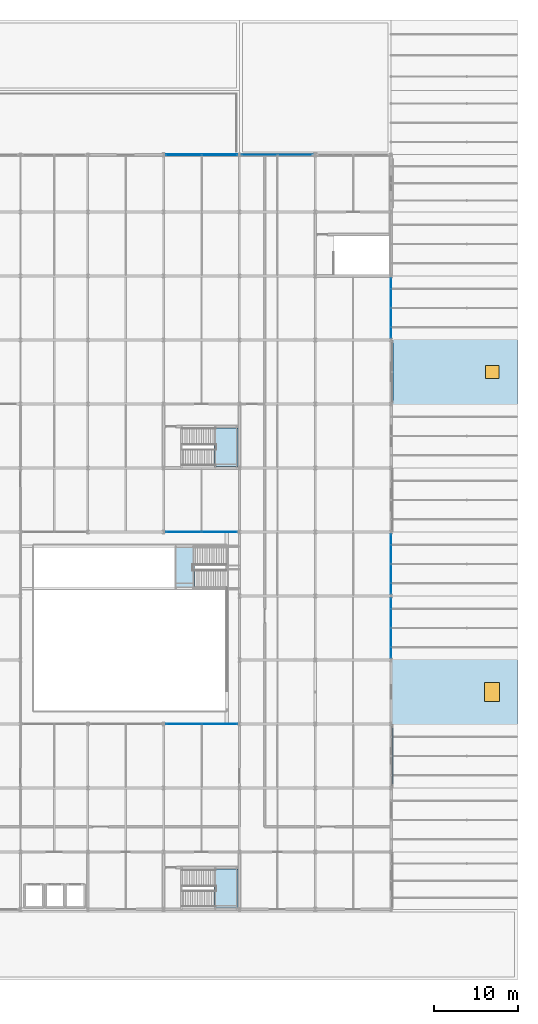
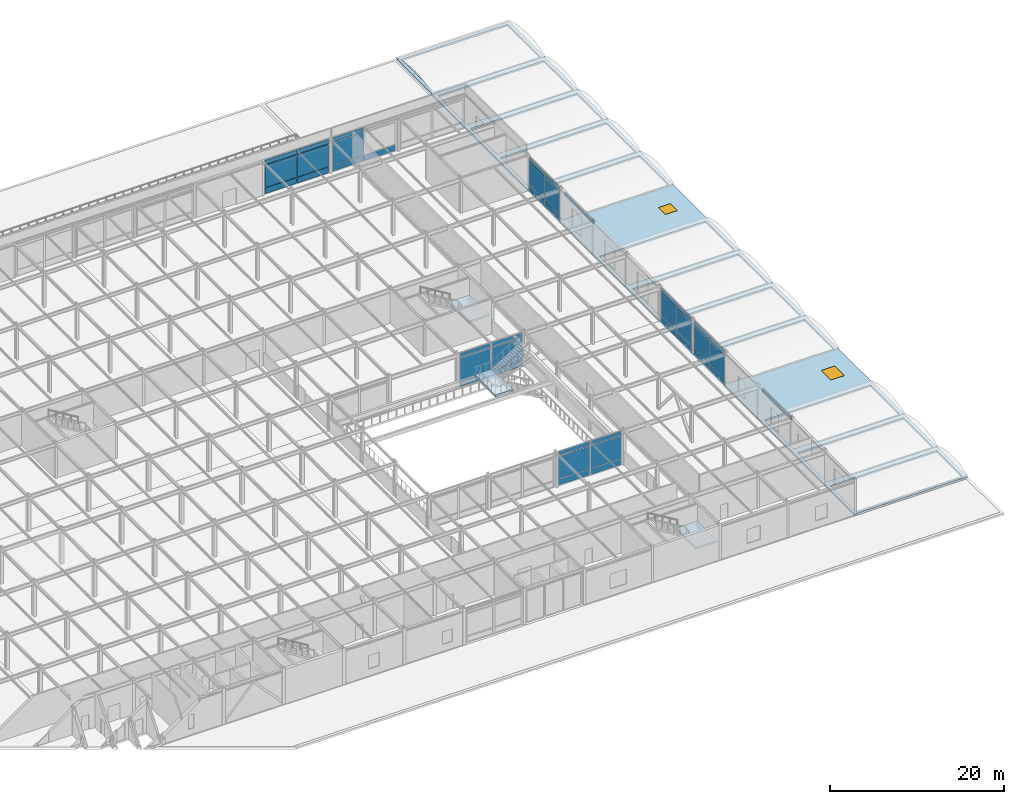
"""IFC4 building model written with IfcOpenShell, lengths in metres."""

import ifcopenshell
import ifcopenshell.guid

model = None  # the IFC model being written
_history = None  # IfcOwnerHistory: only IFC2X3 demands one
_inside = {}  # id of a spatial element -> (the spatial element, [elements in it])
_under = {}  # id of a project, library or spatial element -> (it, [spatial elements below it])
_declared = {}  # id of a project -> (the project, [libraries it declares])
_typed = {}  # id of a type object -> (the type object, [elements of that type])
_made_of = {}  # id of a material, layer set ... -> (it, [elements and type objects made of it])


def new_model(schema):
    """Start an empty IFC model of exactly this schema.

    Asked for "IFC4X3", IfcOpenShell would pick the latest addendum, in which some entities
    have other attributes; the version numbers below select the first issue.
    IFC2X3 requires an IfcOwnerHistory on every rooted entity: one is made here for all.
    """
    global model, _history
    if schema == "IFC4X3":
        model = ifcopenshell.file(schema_version=(4, 3, 0, 0))
    else:
        model = ifcopenshell.file(schema=schema)
    _inside.clear()
    _under.clear()
    _declared.clear()
    _typed.clear()
    _made_of.clear()
    _history = None
    if model.schema == "IFC2X3":
        org = make("IfcOrganization", Name="unknown")
        user = make(
            "IfcPersonAndOrganization",
            ThePerson=make("IfcPerson", FamilyName="unknown"),
            TheOrganization=org,
        )
        app = make(
            "IfcApplication",
            ApplicationDeveloper=org,
            Version="unknown",
            ApplicationFullName="unknown",
            ApplicationIdentifier="unknown",
        )
        _history = make(
            "IfcOwnerHistory",
            OwningUser=user,
            OwningApplication=app,
            ChangeAction="ADDED",
            CreationDate=0,
        )
    return model


def make(cls, **values):
    """One entity of the class cls with the attributes given. An attribute that is None is left unset."""
    return model.create_entity(
        cls, **{name: value for name, value in values.items() if value is not None}
    )


def rooted(cls, **values):
    """An entity with a GlobalId (a new one), such as an element, a storey or a relation."""
    return make(cls, GlobalId=ifcopenshell.guid.new(), OwnerHistory=_history, **values)


def si_unit(unit_type, name, prefix=None):
    """IfcSIUnit, for example si_unit("LENGTHUNIT", "METRE", prefix="MILLI")."""
    return make("IfcSIUnit", UnitType=unit_type, Prefix=prefix, Name=name)


def assignment(units):
    """IfcUnitAssignment: the units of a project."""
    return None if units is None else make("IfcUnitAssignment", Units=units)


def point(xyz):
    """IfcCartesianPoint."""
    return None if xyz is None else make("IfcCartesianPoint", Coordinates=xyz)


def direction(xyz):
    """IfcDirection."""
    return None if xyz is None else make("IfcDirection", DirectionRatios=xyz)


def frame(location, z_axis=None, x_axis=None):
    """IfcAxis2Placement3D, a coordinate frame: its origin and axes. An axis left out is left unset."""
    return make(
        "IfcAxis2Placement3D",
        Location=point(location),
        Axis=direction(z_axis),
        RefDirection=direction(x_axis),
    )


def frame_2d(location, x_axis=None):
    """IfcAxis2Placement2D, a coordinate frame in the plane: its origin and x axis."""
    return make(
        "IfcAxis2Placement2D", Location=point(location), RefDirection=direction(x_axis)
    )


def origin():
    """The frame at (0, 0, 0) with its axes left unset."""
    return frame((0.0, 0.0, 0.0))


def origin_2d():
    """The frame at (0, 0) in the plane with its x axis left unset."""
    return frame_2d((0.0, 0.0))


def place(relative_to, where):
    """IfcLocalPlacement: puts the frame where relative to a parent placement (None: the world)."""
    return make(
        "IfcLocalPlacement", PlacementRelTo=relative_to, RelativePlacement=where
    )


def context(
    kind, dimensions, precision=None, world=None, true_north=None, identifier=None
):
    """IfcGeometricRepresentationContext, for example the 3D "Model" context."""
    return make(
        "IfcGeometricRepresentationContext",
        ContextIdentifier=identifier,
        ContextType=kind,
        CoordinateSpaceDimension=dimensions,
        Precision=precision,
        WorldCoordinateSystem=world,
        TrueNorth=true_north,
    )


def subcontext(parent, identifier, kind, view, scale=None):
    """IfcGeometricRepresentationSubContext, for example "Body" below "Model"."""
    return make(
        "IfcGeometricRepresentationSubContext",
        ContextIdentifier=identifier,
        ContextType=kind,
        ParentContext=parent,
        TargetScale=scale,
        TargetView=view,
    )


def project(units=None, contexts=None):
    """IfcProject with its units and contexts."""
    return rooted(
        "IfcProject",
        Name="project",
        RepresentationContexts=contexts,
        UnitsInContext=assignment(units),
    )


def spatial(cls, under=None, at=None, **own):
    """A site, building, storey or space (cls), placed at a placement, below another one or the project."""
    s = rooted(cls, ObjectPlacement=at, **own)
    if under is not None:
        _under.setdefault(under.id(), (under, []))[1].append(s)
    return s


def polyline(points):
    """IfcPolyline through the points."""
    return make("IfcPolyline", Points=[point(p) for p in points])


def profile(cls, at=None, kind="AREA", **sizes):
    """A parametric profile (cls). Its sizes go by their IFC names, for example OverallWidth=200.0."""
    return make(cls, ProfileType=kind, Position=at, **sizes)


def rectangle(**sizes):
    """IfcRectangleProfileDef."""
    return profile("IfcRectangleProfileDef", **sizes)


def outline(outer, holes=None, kind="AREA"):
    """IfcArbitraryClosedProfileDef: a profile drawn as a closed curve; with holes, ...WithVoids."""
    if holes is None:
        return make("IfcArbitraryClosedProfileDef", ProfileType=kind, OuterCurve=outer)
    return make(
        "IfcArbitraryProfileDefWithVoids",
        ProfileType=kind,
        OuterCurve=outer,
        InnerCurves=holes,
    )


def extrude(swept, where, along, depth):
    """IfcExtrudedAreaSolid: the profile swept, set in the frame where, extruded along a direction by depth."""
    return make(
        "IfcExtrudedAreaSolid",
        SweptArea=swept,
        Position=where,
        ExtrudedDirection=direction(along),
        Depth=depth,
    )


def shape(context_of_items, identifier, shape_type, items):
    """IfcShapeRepresentation: the items that make up one representation, for example the "Body"."""
    return make(
        "IfcShapeRepresentation",
        ContextOfItems=context_of_items,
        RepresentationIdentifier=identifier,
        RepresentationType=shape_type,
        Items=items,
    )


def material(Name=None, Category=None):
    """IfcMaterial."""
    return make("IfcMaterial", Name=Name, Category=Category)


def layer(
    of_material, thickness, ventilated=None, Name=None, Category=None, Priority=None
):
    """IfcMaterialLayer: one layer of a wall or slab, of a material (None: an air gap)."""
    return make(
        "IfcMaterialLayer",
        Material=of_material,
        LayerThickness=thickness,
        IsVentilated=ventilated,
        Name=Name,
        Category=Category,
        Priority=Priority,
    )


def layer_set(layers, Name=None):
    """IfcMaterialLayerSet."""
    return make("IfcMaterialLayerSet", MaterialLayers=layers, LayerSetName=Name)


def made_of(thing, what):
    """Note that an element or type object is made of a material, layer set ...; save() writes the relation."""
    if what is not None:
        _made_of.setdefault(what.id(), (what, []))[1].append(thing)
    return thing


def type_object(cls, material=None, **own):
    """A type object (cls), such as IfcWallType, which elements share."""
    return made_of(rooted(cls, **own), material)


def element(
    cls,
    number,
    at=None,
    inside=None,
    cuts=None,
    type_object=None,
    material=None,
    context=None,
    identifier="Body",
    shape_type=None,
    held_by="IfcProductDefinitionShape",
    body=None,
    shapes=None,
    **own,
):
    """One element of the class cls, such as IfcWall. Its Tag is "e" and its number.

    at: its placement. inside: the storey or other place that contains it. cuts: it is an
    opening in that element (IfcRelVoidsElement). A single representation is given by context,
    identifier, shape_type and body (its items); several are given by shapes. held_by: the class
    of the entity that holds the representations. save() writes the other relations.
    """
    e = rooted(cls, Tag="e%d" % number, ObjectPlacement=at, **own)
    if body is not None:
        shapes = [shape(context, identifier, shape_type, body)]
    if shapes is not None:
        e.Representation = make(held_by, Representations=shapes)
    if inside is not None:
        _inside.setdefault(inside.id(), (inside, []))[1].append(e)
    if cuts is not None:
        rooted(
            "IfcRelVoidsElement", RelatingBuildingElement=cuts, RelatedOpeningElement=e
        )
    if type_object is not None:
        _typed.setdefault(type_object.id(), (type_object, []))[1].append(e)
    return made_of(e, material)


def fill(opening, filler):
    """IfcRelFillsElement: the door or window that sits in an opening."""
    return rooted(
        "IfcRelFillsElement",
        RelatingOpeningElement=opening,
        RelatedBuildingElement=filler,
    )


def aggregate(whole, parts):
    """IfcRelAggregates: a whole, such as a stair, and the parts it consists of."""
    return rooted("IfcRelAggregates", RelatingObject=whole, RelatedObjects=parts)


def save(model, path):
    """Write the relations noted so far, then the file.

    IfcRelAggregates (storeys below a building ...), IfcRelContainedInSpatialStructure (elements
    in a storey), IfcRelDefinesByType, IfcRelAssociatesMaterial and IfcRelDeclares: one each for
    every whole, place, type object, material and project.
    """
    for whole, parts in _under.values():
        aggregate(whole, parts)
    for where, things in _inside.values():
        rooted(
            "IfcRelContainedInSpatialStructure",
            RelatedElements=things,
            RelatingStructure=where,
        )
    for kind, things in _typed.values():
        rooted("IfcRelDefinesByType", RelatedObjects=things, RelatingType=kind)
    for what, things in _made_of.values():
        rooted("IfcRelAssociatesMaterial", RelatedObjects=things, RelatingMaterial=what)
    for by, libraries in _declared.values():
        rooted("IfcRelDeclares", RelatingContext=by, RelatedDefinitions=libraries)
    model.write(path)


model = new_model("IFC4")

# Units and contexts
model_context = context("Model", 3, precision=1e-05, world=origin(), true_north=direction((0.0, 1.0)))
body_context = subcontext(model_context, "Body", "Model", "MODEL_VIEW")
ifc_project = project(units=[si_unit("LENGTHUNIT", "METRE"), si_unit("AREAUNIT", "SQUARE_METRE"), si_unit("VOLUMEUNIT", "CUBIC_METRE"), si_unit("PLANEANGLEUNIT", "RADIAN"), si_unit("MASSUNIT", "GRAM", prefix="KILO")], contexts=[model_context])

# Site, building, storey
site_placement = place(None, origin())
site = spatial("IfcSite", under=ifc_project, at=site_placement, CompositionType="ELEMENT")
building_placement = place(site_placement, origin())
building = spatial("IfcBuilding", under=site, at=building_placement, Name="Shalkamar Park Central Library", CompositionType="ELEMENT")
storey_1_placement = place(building_placement, frame((0.0, 0.0, 5.39990234375)))
storey_1 = spatial("IfcBuildingStorey", under=building, at=storey_1_placement, Name="L02", CompositionType="ELEMENT", Elevation=5.39990234375)

# Curtain wall, plates
ifc_material_1 = material(Name="Thermally broken aluminium and triple low-e curtain wall", Category="aluminium")
ifc_layer_1 = layer(ifc_material_1, 0.2548828125)
ifc_layer_set_1 = layer_set([ifc_layer_1], Name="AtriumGlazedScreen_117")
curtain_wall_type_1 = type_object("IfcCurtainWallType", Name="Atrium Glazed Screen 117", PredefinedType="USERDEFINED", material=ifc_layer_set_1)
curtain_wall_1_placement = place(storey_1_placement, origin())
curtain_wall_1 = element("IfcCurtainWall", 1, at=curtain_wall_1_placement, inside=storey_1, type_object=curtain_wall_type_1, Name="Atrium Glazed Screen CW-L02-174", ObjectType="ATRIUM GLAZED SCREEN", PredefinedType="USERDEFINED")
ifc_material_2 = material(Name="Laminated acoustic interior glass", Category="glass")
ifc_layer_2 = layer(ifc_material_2, 0.02197265625)
ifc_layer_set_2 = layer_set([ifc_layer_2], Name="AcousticGlazedScreenPanel_22")
plate_type_1 = type_object("IfcPlateType", Name="Acoustic Glazed Screen Panel 22", PredefinedType="CURTAIN_PANEL", material=ifc_layer_set_2)
plate_1_placement = place(storey_1_placement, frame((248.390869140625, 270.39990234375, 0.06494140625), z_axis=(0.0, 0.0, 1.0), x_axis=(1.0, 0.0, 0.0)))
plate_1 = element("IfcPlate", 2, at=plate_1_placement, type_object=plate_type_1, Name="CW-117 panel 1.1", PredefinedType="CURTAIN_PANEL", context=body_context, shape_type="SweptSolid", body=[
    extrude(rectangle(XDim=4.16357421875, YDim=0.02197265625, at=origin_2d()), origin(), (0.0, 0.0, 1.0), 0.802490234375),
])
plate_2_placement = place(storey_1_placement, frame((248.390869140625, 270.39990234375, 0.9326171875), z_axis=(0.0, 0.0, 1.0), x_axis=(1.0, 0.0, 0.0)))
plate_2 = element("IfcPlate", 3, at=plate_2_placement, type_object=plate_type_1, Name="CW-117 panel 1.2", PredefinedType="CURTAIN_PANEL", context=body_context, shape_type="SweptSolid", body=[
    extrude(rectangle(XDim=4.16357421875, YDim=0.02197265625, at=origin_2d()), origin(), (0.0, 0.0, 1.0), 3.14501953125),
])
plate_3_placement = place(storey_1_placement, frame((248.390869140625, 270.39990234375, 4.142578125), z_axis=(0.0, 0.0, 1.0), x_axis=(1.0, 0.0, 0.0)))
plate_3 = element("IfcPlate", 4, at=plate_3_placement, type_object=plate_type_1, Name="CW-117 panel 1.3", PredefinedType="CURTAIN_PANEL", context=body_context, shape_type="SweptSolid", body=[
    extrude(rectangle(XDim=4.16357421875, YDim=0.02197265625, at=origin_2d()), origin(), (0.0, 0.0, 1.0), 0.652587890625),
])
plate_4_placement = place(storey_1_placement, frame((252.63427734375, 270.39990234375, 0.06494140625), z_axis=(0.0, 0.0, 1.0), x_axis=(1.0, 0.0, 0.0)))
plate_4 = element("IfcPlate", 5, at=plate_4_placement, type_object=plate_type_1, Name="CW-117 panel 2.1", PredefinedType="CURTAIN_PANEL", context=body_context, shape_type="SweptSolid", body=[
    extrude(rectangle(XDim=4.16357421875, YDim=0.02197265625, at=origin_2d()), origin(), (0.0, 0.0, 1.0), 0.802490234375),
])
plate_5_placement = place(storey_1_placement, frame((252.63427734375, 270.39990234375, 0.9326171875), z_axis=(0.0, 0.0, 1.0), x_axis=(1.0, 0.0, 0.0)))
plate_5 = element("IfcPlate", 6, at=plate_5_placement, type_object=plate_type_1, Name="CW-117 panel 2.2", PredefinedType="CURTAIN_PANEL", context=body_context, shape_type="SweptSolid", body=[
    extrude(rectangle(XDim=4.16357421875, YDim=0.02197265625, at=origin_2d()), origin(), (0.0, 0.0, 1.0), 3.14501953125),
])
plate_6_placement = place(storey_1_placement, frame((252.63427734375, 270.39990234375, 4.142578125), z_axis=(0.0, 0.0, 1.0), x_axis=(1.0, 0.0, 0.0)))
plate_6 = element("IfcPlate", 7, at=plate_6_placement, type_object=plate_type_1, Name="CW-117 panel 2.3", PredefinedType="CURTAIN_PANEL", context=body_context, shape_type="SweptSolid", body=[
    extrude(rectangle(XDim=4.16357421875, YDim=0.02197265625, at=origin_2d()), origin(), (0.0, 0.0, 1.0), 0.652587890625),
])
aggregate(curtain_wall_1, [plate_1, plate_2, plate_3, plate_4, plate_5, plate_6])

# Plate
ifc_material_3 = material(Name="Anodized bronze architectural frieze plate", Category="aluminium")
ifc_layer_3 = layer(ifc_material_3, 0.110107421875)
ifc_layer_set_3 = layer_set([ifc_layer_3], Name="BronzeSpandrelFriezePlate_110")
plate_type_2 = type_object("IfcPlateType", Name="Bronze Spandrel Frieze Plate 110", PredefinedType="USERDEFINED", material=ifc_layer_set_3)
plate_7_placement = place(storey_1_placement, frame((273.195068359375, 312.199951171875, 4.13818359375), z_axis=(0.0, 0.0, 1.0), x_axis=(1.0, 0.0, 0.0)))
element("IfcPlate", 8, at=plate_7_placement, inside=storey_1, type_object=plate_type_2, Name="Bronze Spandrel Frieze Plate L02-033", ObjectType="CLADDING", PredefinedType="USERDEFINED", context=body_context, shape_type="SweptSolid", body=[
    extrude(rectangle(XDim=0.110107421875, YDim=6.6279296875, at=origin_2d()), origin(), (0.0, 0.0, 1.0), 0.449951171875),
])

# Slab, openings
ifc_material_4 = material(Name="Concrete C35/45", Category="concrete")
ifc_layer_4 = layer(ifc_material_4, 0.25)
ifc_layer_set_4 = layer_set([ifc_layer_4], Name="Concrete C35/45")
slab_type_1 = type_object("IfcSlabType", Name="Flat Roof Slab 140", PredefinedType="ROOF", material=ifc_layer_set_4)
slab_1_placement = place(storey_1_placement, frame((0.0, 0.0, -0.25)))
slab_1 = element("IfcSlab", 9, at=slab_1_placement, inside=storey_1, type_object=slab_type_1, Name="Flat Roof Slab RF-L01-E", PredefinedType="ROOF", context=body_context, shape_type="SweptSolid", body=[
    extrude(outline(polyline([(273.0, 248.39990234375), (288.0, 248.39990234375), (288.0, 354.0), (273.0, 354.0), (273.0, 248.39990234375)]), holes=[polyline([(273.449951171875, 248.85009765625), (287.550048828125, 248.85009765625), (287.550048828125, 254.75), (273.449951171875, 254.75), (273.449951171875, 248.85009765625)]), polyline([(273.449951171875, 255.64990234375), (287.550048828125, 255.64990234375), (287.550048828125, 262.35009765625), (273.449951171875, 262.35009765625), (273.449951171875, 255.64990234375)]), polyline([(273.449951171875, 263.25), (287.550048828125, 263.25), (287.550048828125, 269.949951171875), (273.449951171875, 269.949951171875), (273.449951171875, 263.25)]), polyline([(273.449951171875, 278.449951171875), (287.550048828125, 278.449951171875), (287.550048828125, 285.14990234375), (273.449951171875, 285.14990234375), (273.449951171875, 278.449951171875)]), polyline([(273.449951171875, 286.050048828125), (287.550048828125, 286.050048828125), (287.550048828125, 292.75), (273.449951171875, 292.75), (273.449951171875, 286.050048828125)]), polyline([(273.449951171875, 293.64990234375), (287.550048828125, 293.64990234375), (287.550048828125, 300.35009765625), (273.449951171875, 300.35009765625), (273.449951171875, 293.64990234375)]), polyline([(273.449951171875, 301.25), (287.550048828125, 301.25), (287.550048828125, 307.949951171875), (273.449951171875, 307.949951171875), (273.449951171875, 301.25)]), polyline([(273.449951171875, 316.449951171875), (287.550048828125, 316.449951171875), (287.550048828125, 323.14990234375), (273.449951171875, 323.14990234375), (273.449951171875, 316.449951171875)]), polyline([(273.449951171875, 324.050048828125), (287.550048828125, 324.050048828125), (287.550048828125, 330.75), (273.449951171875, 330.75), (273.449951171875, 324.050048828125)]), polyline([(273.449951171875, 331.64990234375), (287.550048828125, 331.64990234375), (287.550048828125, 337.550048828125), (273.449951171875, 337.550048828125), (273.449951171875, 331.64990234375)]), polyline([(273.449951171875, 338.449951171875), (287.550048828125, 338.449951171875), (287.550048828125, 345.14990234375), (273.449951171875, 345.14990234375), (273.449951171875, 338.449951171875)]), polyline([(273.449951171875, 346.050048828125), (287.550048828125, 346.050048828125), (287.550048828125, 353.550048828125), (273.449951171875, 353.550048828125), (273.449951171875, 346.050048828125)])]), origin(), (0.0, 0.0, 1.0), 0.25),
])
opening_1_placement = place(slab_1_placement, frame((285.0, 274.199951171875, -0.010009765625)))
opening_1 = element("IfcOpeningElement", 10, at=opening_1_placement, cuts=slab_1, Name="Opening SK-03", PredefinedType="OPENING", context=body_context, shape_type="SweptSolid", body=[
    extrude(rectangle(XDim=1.800048828125, YDim=2.199951171875, at=origin_2d()), origin(), (0.0, 0.0, 1.0), 0.27001953125),
])
opening_2_placement = place(slab_1_placement, frame((285.0, 312.199951171875, -0.010009765625)))
opening_2 = element("IfcOpeningElement", 11, at=opening_2_placement, cuts=slab_1, Name="Opening SK-04", PredefinedType="OPENING", context=body_context, shape_type="SweptSolid", body=[
    extrude(rectangle(XDim=1.60009765625, YDim=1.60009765625, at=origin_2d()), origin(), (0.0, 0.0, 1.0), 0.27001953125),
])

# Storey
storey_2_placement = place(building_placement, origin())
storey_2 = spatial("IfcBuildingStorey", under=building, at=storey_2_placement, Name="L01", CompositionType="ELEMENT", Elevation=0.0)

# Window
ifc_material_5 = material(Name="Thermally broken aluminium and triple low-e glass", Category="glass")
window_type_1 = type_object("IfcWindowType", Name="Roof Skylight 1600x1600", PartitioningType="SINGLE_PANEL", PredefinedType="SKYLIGHT", material=ifc_material_5)
window_1_placement = place(opening_2_placement, frame((0.0, 0.0, 0.2099609375)))
window_1 = element("IfcWindow", 12, at=window_1_placement, inside=storey_2, type_object=window_type_1, Name="Roof Skylight SK-L01-04", OverallHeight=1.60009765625, OverallWidth=1.60009765625, PartitioningType="SINGLE_PANEL", PredefinedType="SKYLIGHT", context=body_context, shape_type="SweptSolid", body=[
    extrude(rectangle(XDim=1.60009765625, YDim=1.60009765625, at=origin_2d()), origin(), (0.0, 0.0, 1.0), 0.050048828125),
])

fill(opening_2, window_1)

window_type_2 = type_object("IfcWindowType", Name="Roof Skylight 1800x2200", PartitioningType="SINGLE_PANEL", PredefinedType="SKYLIGHT", material=ifc_material_5)
window_2_placement = place(opening_1_placement, frame((0.0, 0.0, 0.2099609375)))
window_2 = element("IfcWindow", 13, at=window_2_placement, inside=storey_2, type_object=window_type_2, Name="Roof Skylight SK-L01-03", OverallHeight=2.199951171875, OverallWidth=1.800048828125, PartitioningType="SINGLE_PANEL", PredefinedType="SKYLIGHT", context=body_context, shape_type="SweptSolid", body=[
    extrude(rectangle(XDim=1.800048828125, YDim=2.199951171875, at=origin_2d()), origin(), (0.0, 0.0, 1.0), 0.050048828125),
])

fill(opening_1, window_2)

# Curtain wall, plates
ifc_layer_5 = layer(ifc_material_1, 0.280029296875)
ifc_layer_set_5 = layer_set([ifc_layer_5], Name="AtriumGlazedScreen_119")
curtain_wall_type_2 = type_object("IfcCurtainWallType", Name="Atrium Glazed Screen 119", PredefinedType="USERDEFINED", material=ifc_layer_set_5)
curtain_wall_2_placement = place(storey_1_placement, origin())
curtain_wall_2 = element("IfcCurtainWall", 14, at=curtain_wall_2_placement, inside=storey_1, type_object=curtain_wall_type_2, Name="Atrium Glazed Screen CW-L02-176", ObjectType="ATRIUM GLAZED SCREEN", PredefinedType="USERDEFINED")
ifc_material_6 = material(Name="Tempered clear atrium glass", Category="glass")
ifc_layer_6 = layer(ifc_material_6, 0.011962890625)
ifc_layer_set_6 = layer_set([ifc_layer_6], Name="InteriorAtriumGlassPanel_12")
plate_type_3 = type_object("IfcPlateType", Name="Interior Atrium Glass Panel 12", PredefinedType="CURTAIN_PANEL", material=ifc_layer_set_6)
plate_8_placement = place(storey_1_placement, frame((248.393310546875, 293.199951171875, 0.070068359375), z_axis=(0.0, 0.0, 1.0), x_axis=(1.0, 0.0, 0.0)))
plate_8 = element("IfcPlate", 15, at=plate_8_placement, type_object=plate_type_3, Name="CW-119 panel 1.1", PredefinedType="CURTAIN_PANEL", context=body_context, shape_type="SweptSolid", body=[
    extrude(rectangle(XDim=4.1484375, YDim=0.011962890625, at=origin_2d()), origin(), (0.0, 0.0, 1.0), 0.794921875),
])
plate_9_placement = place(storey_1_placement, frame((248.393310546875, 293.199951171875, 0.93505859375), z_axis=(0.0, 0.0, 1.0), x_axis=(1.0, 0.0, 0.0)))
plate_9 = element("IfcPlate", 16, at=plate_9_placement, type_object=plate_type_3, Name="CW-119 panel 1.2", PredefinedType="CURTAIN_PANEL", context=body_context, shape_type="SweptSolid", body=[
    extrude(rectangle(XDim=4.1484375, YDim=0.011962890625, at=origin_2d()), origin(), (0.0, 0.0, 1.0), 3.139892578125),
])
plate_10_placement = place(storey_1_placement, frame((248.393310546875, 293.199951171875, 4.14501953125), z_axis=(0.0, 0.0, 1.0), x_axis=(1.0, 0.0, 0.0)))
plate_10 = element("IfcPlate", 17, at=plate_10_placement, type_object=plate_type_3, Name="CW-119 panel 1.3", PredefinedType="CURTAIN_PANEL", context=body_context, shape_type="SweptSolid", body=[
    extrude(rectangle(XDim=4.1484375, YDim=0.011962890625, at=origin_2d()), origin(), (0.0, 0.0, 1.0), 0.64501953125),
])
plate_11_placement = place(storey_1_placement, frame((252.6318359375, 293.199951171875, 0.070068359375), z_axis=(0.0, 0.0, 1.0), x_axis=(1.0, 0.0, 0.0)))
plate_11 = element("IfcPlate", 18, at=plate_11_placement, type_object=plate_type_3, Name="CW-119 panel 2.1", PredefinedType="CURTAIN_PANEL", context=body_context, shape_type="SweptSolid", body=[
    extrude(rectangle(XDim=4.1484375, YDim=0.011962890625, at=origin_2d()), origin(), (0.0, 0.0, 1.0), 0.794921875),
])
plate_12_placement = place(storey_1_placement, frame((252.6318359375, 293.199951171875, 0.93505859375), z_axis=(0.0, 0.0, 1.0), x_axis=(1.0, 0.0, 0.0)))
plate_12 = element("IfcPlate", 19, at=plate_12_placement, type_object=plate_type_3, Name="CW-119 panel 2.2", PredefinedType="CURTAIN_PANEL", context=body_context, shape_type="SweptSolid", body=[
    extrude(rectangle(XDim=4.1484375, YDim=0.011962890625, at=origin_2d()), origin(), (0.0, 0.0, 1.0), 3.139892578125),
])
plate_13_placement = place(storey_1_placement, frame((252.6318359375, 293.199951171875, 4.14501953125), z_axis=(0.0, 0.0, 1.0), x_axis=(1.0, 0.0, 0.0)))
plate_13 = element("IfcPlate", 20, at=plate_13_placement, type_object=plate_type_3, Name="CW-119 panel 2.3", PredefinedType="CURTAIN_PANEL", context=body_context, shape_type="SweptSolid", body=[
    extrude(rectangle(XDim=4.1484375, YDim=0.011962890625, at=origin_2d()), origin(), (0.0, 0.0, 1.0), 0.64501953125),
])
aggregate(curtain_wall_2, [plate_8, plate_9, plate_10, plate_11, plate_12, plate_13])

# Plate
ifc_material_7 = material(Name="Anodized bronze stepped frieze plate", Category="aluminium")
ifc_layer_7 = layer(ifc_material_7, 0.139892578125)
ifc_layer_set_7 = layer_set([ifc_layer_7], Name="PostmodernKeystoneFriezePlate_140")
plate_type_4 = type_object("IfcPlateType", Name="Postmodern Keystone Frieze Plate 140", PredefinedType="USERDEFINED", material=ifc_layer_set_7)
plate_14_placement = place(storey_1_placement, frame((273.2099609375, 266.60009765625, 4.13818359375), z_axis=(0.0, 0.0, 1.0), x_axis=(1.0, 0.0, 0.0)))
element("IfcPlate", 21, at=plate_14_placement, inside=storey_1, type_object=plate_type_4, Name="Bronze Spandrel Frieze Plate L02-032", ObjectType="CLADDING", PredefinedType="USERDEFINED", context=body_context, shape_type="SweptSolid", body=[
    extrude(rectangle(XDim=0.139892578125, YDim=6.6279296875, at=origin_2d()), origin(), (0.0, 0.0, 1.0), 0.449951171875),
])

# Curtain wall, plates
ifc_layer_8 = layer(ifc_material_1, 0.260009765625)
ifc_layer_set_8 = layer_set([ifc_layer_8], Name="UnitisedCurtainWall_34")
curtain_wall_type_3 = type_object("IfcCurtainWallType", Name="Unitised Curtain Wall 34", PredefinedType="USERDEFINED", material=ifc_layer_set_8)
curtain_wall_3_placement = place(storey_1_placement, origin())
curtain_wall_3 = element("IfcCurtainWall", 22, at=curtain_wall_3_placement, inside=storey_1, type_object=curtain_wall_type_3, Name="Unitised Curtain Wall CW-L02-038", ObjectType="UNITISED CURTAIN WALL", PredefinedType="USERDEFINED")
ifc_material_8 = material(Name="Triple-glazed solar-control glass", Category="glass")
ifc_layer_9 = layer(ifc_material_8, 0.031982421875)
ifc_layer_set_9 = layer_set([ifc_layer_9], Name="SolarControlVisionPanel_32")
plate_type_5 = type_object("IfcPlateType", Name="Solar Control Vision Panel 32", PredefinedType="CURTAIN_PANEL", material=ifc_layer_set_9)
plate_15_placement = place(storey_1_placement, frame((257.364501953125, 338.0, 0.06005859375), z_axis=(0.0, 0.0, 1.0), x_axis=(1.0, 0.0, 0.0)))
plate_15 = element("IfcPlate", 23, at=plate_15_placement, type_object=plate_type_5, Name="CW-34 panel 1.1", PredefinedType="CURTAIN_PANEL", context=body_context, shape_type="SweptSolid", body=[
    extrude(rectangle(XDim=4.1708984375, YDim=0.031982421875, at=origin_2d()), origin(), (0.0, 0.0, 1.0), 0.81005859375),
])
plate_16_placement = place(storey_1_placement, frame((257.364501953125, 338.0, 0.93017578125), z_axis=(0.0, 0.0, 1.0), x_axis=(1.0, 0.0, 0.0)))
plate_16 = element("IfcPlate", 24, at=plate_16_placement, type_object=plate_type_5, Name="CW-34 panel 1.2", PredefinedType="CURTAIN_PANEL", context=body_context, shape_type="SweptSolid", body=[
    extrude(rectangle(XDim=4.1708984375, YDim=0.031982421875, at=origin_2d()), origin(), (0.0, 0.0, 1.0), 3.139892578125),
])
plate_17_placement = place(storey_1_placement, frame((257.364501953125, 338.0, 4.13037109375), z_axis=(0.0, 0.0, 1.0), x_axis=(1.0, 0.0, 0.0)))
plate_17 = element("IfcPlate", 25, at=plate_17_placement, type_object=plate_type_5, Name="CW-34 panel 1.3", PredefinedType="CURTAIN_PANEL", context=body_context, shape_type="SweptSolid", body=[
    extrude(rectangle(XDim=4.1708984375, YDim=0.031982421875, at=origin_2d()), origin(), (0.0, 0.0, 1.0), 0.659912109375),
])
plate_18_placement = place(storey_1_placement, frame((261.610595703125, 338.0, 0.06005859375), z_axis=(0.0, 0.0, 1.0), x_axis=(1.0, 0.0, 0.0)))
plate_18 = element("IfcPlate", 26, at=plate_18_placement, type_object=plate_type_5, Name="CW-34 panel 2.1", PredefinedType="CURTAIN_PANEL", context=body_context, shape_type="SweptSolid", body=[
    extrude(rectangle(XDim=4.1708984375, YDim=0.031982421875, at=origin_2d()), origin(), (0.0, 0.0, 1.0), 0.81005859375),
])
aggregate(curtain_wall_3, [plate_15, plate_16, plate_17, plate_18])

ifc_layer_10 = layer(ifc_material_1, 0.260009765625)
ifc_layer_set_10 = layer_set([ifc_layer_10], Name="UnitisedCurtainWall_37")
curtain_wall_type_4 = type_object("IfcCurtainWallType", Name="Unitised Curtain Wall 37", PredefinedType="USERDEFINED", material=ifc_layer_set_10)
curtain_wall_4_placement = place(storey_1_placement, origin())
curtain_wall_4 = element("IfcCurtainWall", 27, at=curtain_wall_4_placement, inside=storey_1, type_object=curtain_wall_type_4, Name="Unitised Curtain Wall CW-L02-043", ObjectType="UNITISED CURTAIN WALL", PredefinedType="USERDEFINED")
plate_19_placement = place(storey_1_placement, frame((273.0, 280.020751953125, 0.06005859375), z_axis=(0.0, 0.0, 1.0), x_axis=(0.0, 1.0, 0.0)))
plate_19 = element("IfcPlate", 28, at=plate_19_placement, type_object=plate_type_5, Name="CW-37 panel 1.1", PredefinedType="CURTAIN_PANEL", context=body_context, shape_type="SweptSolid", body=[
    extrude(rectangle(XDim=3.4833984375, YDim=0.031982421875, at=origin_2d()), origin(), (0.0, 0.0, 1.0), 0.81005859375),
])
plate_20_placement = place(storey_1_placement, frame((273.0, 280.020751953125, 0.93017578125), z_axis=(0.0, 0.0, 1.0), x_axis=(0.0, 1.0, 0.0)))
plate_20 = element("IfcPlate", 29, at=plate_20_placement, type_object=plate_type_5, Name="CW-37 panel 1.2", PredefinedType="CURTAIN_PANEL", context=body_context, shape_type="SweptSolid", body=[
    extrude(rectangle(XDim=3.4833984375, YDim=0.031982421875, at=origin_2d()), origin(), (0.0, 0.0, 1.0), 3.14990234375),
])
plate_21_placement = place(storey_1_placement, frame((273.0, 280.020751953125, 4.14013671875), z_axis=(0.0, 0.0, 1.0), x_axis=(0.0, 1.0, 0.0)))
plate_21 = element("IfcPlate", 30, at=plate_21_placement, type_object=plate_type_5, Name="CW-37 panel 1.3", PredefinedType="CURTAIN_PANEL", context=body_context, shape_type="SweptSolid", body=[
    extrude(rectangle(XDim=3.4833984375, YDim=0.031982421875, at=origin_2d()), origin(), (0.0, 0.0, 1.0), 0.659912109375),
])
plate_22_placement = place(storey_1_placement, frame((273.0, 283.579345703125, 0.06005859375), z_axis=(0.0, 0.0, 1.0), x_axis=(0.0, 1.0, 0.0)))
plate_22 = element("IfcPlate", 31, at=plate_22_placement, type_object=plate_type_5, Name="CW-37 panel 2.1", PredefinedType="CURTAIN_PANEL", context=body_context, shape_type="SweptSolid", body=[
    extrude(rectangle(XDim=3.4833984375, YDim=0.031982421875, at=origin_2d()), origin(), (0.0, 0.0, 1.0), 0.81005859375),
])
plate_23_placement = place(storey_1_placement, frame((273.0, 283.579345703125, 0.93017578125), z_axis=(0.0, 0.0, 1.0), x_axis=(0.0, 1.0, 0.0)))
plate_23 = element("IfcPlate", 32, at=plate_23_placement, type_object=plate_type_5, Name="CW-37 panel 2.2", PredefinedType="CURTAIN_PANEL", context=body_context, shape_type="SweptSolid", body=[
    extrude(rectangle(XDim=3.4833984375, YDim=0.031982421875, at=origin_2d()), origin(), (0.0, 0.0, 1.0), 3.14990234375),
])
plate_24_placement = place(storey_1_placement, frame((273.0, 283.579345703125, 4.14013671875), z_axis=(0.0, 0.0, 1.0), x_axis=(0.0, 1.0, 0.0)))
plate_24 = element("IfcPlate", 33, at=plate_24_placement, type_object=plate_type_5, Name="CW-37 panel 2.3", PredefinedType="CURTAIN_PANEL", context=body_context, shape_type="SweptSolid", body=[
    extrude(rectangle(XDim=3.4833984375, YDim=0.031982421875, at=origin_2d()), origin(), (0.0, 0.0, 1.0), 0.659912109375),
])
aggregate(curtain_wall_4, [plate_19, plate_20, plate_21, plate_22, plate_23, plate_24])

ifc_layer_11 = layer(ifc_material_1, 0.25)
ifc_layer_set_11 = layer_set([ifc_layer_11], Name="UnitisedCurtainWall_33")
curtain_wall_type_5 = type_object("IfcCurtainWallType", Name="Unitised Curtain Wall 33", PredefinedType="USERDEFINED", material=ifc_layer_set_11)
curtain_wall_5_placement = place(storey_1_placement, origin())
curtain_wall_5 = element("IfcCurtainWall", 34, at=curtain_wall_5_placement, inside=storey_1, type_object=curtain_wall_type_5, Name="Unitised Curtain Wall CW-L02-037", ObjectType="UNITISED CURTAIN WALL", PredefinedType="USERDEFINED")
ifc_material_9 = material(Name="Insulated aluminium spandrel panel", Category="aluminium")
ifc_layer_12 = layer(ifc_material_9, 0.080078125)
ifc_layer_set_12 = layer_set([ifc_layer_12], Name="SpandrelShadowboxPanel_80")
plate_type_6 = type_object("IfcPlateType", Name="Spandrel Shadowbox Panel 80", PredefinedType="CURTAIN_PANEL", material=ifc_layer_set_12)
plate_25_placement = place(storey_1_placement, frame((248.389404296875, 338.0, 0.06005859375), z_axis=(0.0, 0.0, 1.0), x_axis=(1.0, 0.0, 0.0)))
plate_25 = element("IfcPlate", 35, at=plate_25_placement, type_object=plate_type_6, Name="CW-33 panel 1.1", PredefinedType="CURTAIN_PANEL", context=body_context, shape_type="SweptSolid", body=[
    extrude(rectangle(XDim=4.1708984375, YDim=0.080078125, at=origin_2d()), origin(), (0.0, 0.0, 1.0), 0.81005859375),
])
plate_26_placement = place(storey_1_placement, frame((248.389404296875, 338.0, 0.93017578125), z_axis=(0.0, 0.0, 1.0), x_axis=(1.0, 0.0, 0.0)))
plate_26 = element("IfcPlate", 36, at=plate_26_placement, type_object=plate_type_6, Name="CW-33 panel 1.2", PredefinedType="CURTAIN_PANEL", context=body_context, shape_type="SweptSolid", body=[
    extrude(rectangle(XDim=4.1708984375, YDim=0.080078125, at=origin_2d()), origin(), (0.0, 0.0, 1.0), 3.139892578125),
])
plate_27_placement = place(storey_1_placement, frame((248.389404296875, 338.0, 4.13037109375), z_axis=(0.0, 0.0, 1.0), x_axis=(1.0, 0.0, 0.0)))
plate_27 = element("IfcPlate", 37, at=plate_27_placement, type_object=plate_type_6, Name="CW-33 panel 1.3", PredefinedType="CURTAIN_PANEL", context=body_context, shape_type="SweptSolid", body=[
    extrude(rectangle(XDim=4.1708984375, YDim=0.080078125, at=origin_2d()), origin(), (0.0, 0.0, 1.0), 0.659912109375),
])
plate_28_placement = place(storey_1_placement, frame((252.635498046875, 338.0, 0.06005859375), z_axis=(0.0, 0.0, 1.0), x_axis=(1.0, 0.0, 0.0)))
plate_28 = element("IfcPlate", 38, at=plate_28_placement, type_object=plate_type_6, Name="CW-33 panel 2.1", PredefinedType="CURTAIN_PANEL", context=body_context, shape_type="SweptSolid", body=[
    extrude(rectangle(XDim=4.1708984375, YDim=0.080078125, at=origin_2d()), origin(), (0.0, 0.0, 1.0), 0.81005859375),
])
plate_29_placement = place(storey_1_placement, frame((252.635498046875, 338.0, 0.93017578125), z_axis=(0.0, 0.0, 1.0), x_axis=(1.0, 0.0, 0.0)))
plate_29 = element("IfcPlate", 39, at=plate_29_placement, type_object=plate_type_6, Name="CW-33 panel 2.2", PredefinedType="CURTAIN_PANEL", context=body_context, shape_type="SweptSolid", body=[
    extrude(rectangle(XDim=4.1708984375, YDim=0.080078125, at=origin_2d()), origin(), (0.0, 0.0, 1.0), 3.139892578125),
])
plate_30_placement = place(storey_1_placement, frame((252.635498046875, 338.0, 4.13037109375), z_axis=(0.0, 0.0, 1.0), x_axis=(1.0, 0.0, 0.0)))
plate_30 = element("IfcPlate", 40, at=plate_30_placement, type_object=plate_type_6, Name="CW-33 panel 2.3", PredefinedType="CURTAIN_PANEL", context=body_context, shape_type="SweptSolid", body=[
    extrude(rectangle(XDim=4.1708984375, YDim=0.080078125, at=origin_2d()), origin(), (0.0, 0.0, 1.0), 0.659912109375),
])
aggregate(curtain_wall_5, [plate_25, plate_26, plate_27, plate_28, plate_29, plate_30])

# Stair, slab
stair_type_1 = type_object("IfcStairType", Name="Protected Dog Leg Stair 200x510", PredefinedType="TWO_STRAIGHT_RUN_STAIR", material=ifc_material_4)
stair_1_placement = place(storey_1_placement, origin())
stair_1 = element("IfcStair", 41, at=stair_1_placement, inside=storey_1, type_object=stair_type_1, Name="Protected Core Stair ST-P3-L02", PredefinedType="TWO_STRAIGHT_RUN_STAIR")
ifc_layer_13 = layer(ifc_material_4, 0.280029296875)
ifc_layer_set_13 = layer_set([ifc_layer_13], Name="Concrete C35/45")
slab_type_2 = type_object("IfcSlabType", Name="Stair Landing Slab 160", PredefinedType="LANDING", material=ifc_layer_set_13)
slab_2_placement = place(storey_1_placement, frame((0.0, 0.0, 2.27001953125)))
slab_2 = element("IfcSlab", 42, at=slab_2_placement, type_object=slab_type_2, Name="ST-P3-L02 landing 1", PredefinedType="LANDING", context=body_context, shape_type="SweptSolid", body=[
    extrude(outline(polyline([(251.965087890625, 248.594970703125), (254.804931640625, 248.594970703125), (254.804931640625, 253.155029296875), (251.965087890625, 253.155029296875), (251.965087890625, 248.594970703125)])), origin(), (0.0, 0.0, 1.0), 0.280029296875),
])
aggregate(stair_1, [slab_2])

stair_2_placement = place(storey_1_placement, origin())
stair_2 = element("IfcStair", 43, at=stair_2_placement, inside=storey_1, type_object=stair_type_1, Name="Protected Core Stair ST-P4-L02", PredefinedType="TWO_STRAIGHT_RUN_STAIR")
slab_3_placement = place(storey_1_placement, frame((0.0, 0.0, 2.27001953125)))
slab_3 = element("IfcSlab", 44, at=slab_3_placement, type_object=slab_type_2, Name="ST-P4-L02 landing 1", PredefinedType="LANDING", context=body_context, shape_type="SweptSolid", body=[
    extrude(outline(polyline([(251.965087890625, 300.9951171875), (254.804931640625, 300.9951171875), (254.804931640625, 305.554931640625), (251.965087890625, 305.554931640625), (251.965087890625, 300.9951171875)])), origin(), (0.0, 0.0, 1.0), 0.280029296875),
])
aggregate(stair_2, [slab_3])

stair_type_2 = type_object("IfcStairType", Name="Protected Dog Leg Stair 210x510", PredefinedType="TWO_STRAIGHT_RUN_STAIR", material=ifc_material_4)
stair_3_placement = place(storey_1_placement, origin())
stair_3 = element("IfcStair", 45, at=stair_3_placement, inside=storey_1, type_object=stair_type_2, Name="Monumental Atrium Reading Stair ST-A2 (L02-L03)", PredefinedType="TWO_STRAIGHT_RUN_STAIR")
slab_4_placement = place(storey_1_placement, frame((0.0, 0.0, 2.27001953125)))
slab_4 = element("IfcSlab", 46, at=slab_4_placement, type_object=slab_type_2, Name="ST-A2-L02 landing 1", PredefinedType="LANDING", context=body_context, shape_type="SweptSolid", body=[
    extrude(outline(polyline([(247.300048828125, 286.60009765625), (249.659912109375, 286.60009765625), (249.659912109375, 291.39990234375), (247.300048828125, 291.39990234375), (247.300048828125, 286.60009765625)])), origin(), (0.0, 0.0, 1.0), 0.280029296875),
])
aggregate(stair_3, [slab_4])

# Curtain wall, plates
ifc_layer_14 = layer(ifc_material_1, 0.2548828125)
ifc_layer_set_14 = layer_set([ifc_layer_14], Name="UnitisedCurtainWall_38")
curtain_wall_type_6 = type_object("IfcCurtainWallType", Name="Unitised Curtain Wall 38", PredefinedType="USERDEFINED", material=ifc_layer_set_14)
curtain_wall_6_placement = place(storey_1_placement, origin())
curtain_wall_6 = element("IfcCurtainWall", 47, at=curtain_wall_6_placement, inside=storey_1, type_object=curtain_wall_type_6, Name="Unitised Curtain Wall CW-L02-044", ObjectType="UNITISED CURTAIN WALL", PredefinedType="USERDEFINED")
ifc_material_10 = material(Name="Triple-glazed low-e safety glass", Category="glass")
ifc_layer_15 = layer(ifc_material_10, 0.0439453125)
ifc_layer_set_15 = layer_set([ifc_layer_15], Name="TripleGlazedVisionPanel_44")
plate_type_7 = type_object("IfcPlateType", Name="Triple Glazed Vision Panel 44", PredefinedType="CURTAIN_PANEL", material=ifc_layer_set_15)
plate_31_placement = place(storey_1_placement, frame((273.0, 287.6220703125, 0.06494140625), z_axis=(0.0, 0.0, 1.0), x_axis=(0.0, 1.0, 0.0)))
plate_31 = element("IfcPlate", 48, at=plate_31_placement, type_object=plate_type_7, Name="CW-38 panel 1.1", PredefinedType="CURTAIN_PANEL", context=body_context, shape_type="SweptSolid", body=[
    extrude(rectangle(XDim=3.47607421875, YDim=0.0439453125, at=origin_2d()), origin(), (0.0, 0.0, 1.0), 0.802490234375),
])
plate_32_placement = place(storey_1_placement, frame((273.0, 287.6220703125, 0.9326171875), z_axis=(0.0, 0.0, 1.0), x_axis=(0.0, 1.0, 0.0)))
plate_32 = element("IfcPlate", 49, at=plate_32_placement, type_object=plate_type_7, Name="CW-38 panel 1.2", PredefinedType="CURTAIN_PANEL", context=body_context, shape_type="SweptSolid", body=[
    extrude(rectangle(XDim=3.47607421875, YDim=0.0439453125, at=origin_2d()), origin(), (0.0, 0.0, 1.0), 3.14501953125),
])
plate_33_placement = place(storey_1_placement, frame((273.0, 287.6220703125, 4.142578125), z_axis=(0.0, 0.0, 1.0), x_axis=(0.0, 1.0, 0.0)))
plate_33 = element("IfcPlate", 50, at=plate_33_placement, type_object=plate_type_7, Name="CW-38 panel 1.3", PredefinedType="CURTAIN_PANEL", context=body_context, shape_type="SweptSolid", body=[
    extrude(rectangle(XDim=3.47607421875, YDim=0.0439453125, at=origin_2d()), origin(), (0.0, 0.0, 1.0), 0.652587890625),
])
plate_34_placement = place(storey_1_placement, frame((273.0, 291.177978515625, 0.06494140625), z_axis=(0.0, 0.0, 1.0), x_axis=(0.0, 1.0, 0.0)))
plate_34 = element("IfcPlate", 51, at=plate_34_placement, type_object=plate_type_7, Name="CW-38 panel 2.1", PredefinedType="CURTAIN_PANEL", context=body_context, shape_type="SweptSolid", body=[
    extrude(rectangle(XDim=3.47607421875, YDim=0.0439453125, at=origin_2d()), origin(), (0.0, 0.0, 1.0), 0.802490234375),
])
plate_35_placement = place(storey_1_placement, frame((273.0, 291.177978515625, 0.9326171875), z_axis=(0.0, 0.0, 1.0), x_axis=(0.0, 1.0, 0.0)))
plate_35 = element("IfcPlate", 52, at=plate_35_placement, type_object=plate_type_7, Name="CW-38 panel 2.2", PredefinedType="CURTAIN_PANEL", context=body_context, shape_type="SweptSolid", body=[
    extrude(rectangle(XDim=3.47607421875, YDim=0.0439453125, at=origin_2d()), origin(), (0.0, 0.0, 1.0), 3.14501953125),
])
plate_36_placement = place(storey_1_placement, frame((273.0, 291.177978515625, 4.142578125), z_axis=(0.0, 0.0, 1.0), x_axis=(0.0, 1.0, 0.0)))
plate_36 = element("IfcPlate", 53, at=plate_36_placement, type_object=plate_type_7, Name="CW-38 panel 2.3", PredefinedType="CURTAIN_PANEL", context=body_context, shape_type="SweptSolid", body=[
    extrude(rectangle(XDim=3.47607421875, YDim=0.0439453125, at=origin_2d()), origin(), (0.0, 0.0, 1.0), 0.652587890625),
])
aggregate(curtain_wall_6, [plate_31, plate_32, plate_33, plate_34, plate_35, plate_36])

ifc_layer_16 = layer(ifc_material_1, 0.25)
ifc_layer_set_16 = layer_set([ifc_layer_16], Name="UnitisedCurtainWall_39")
curtain_wall_type_7 = type_object("IfcCurtainWallType", Name="Unitised Curtain Wall 39", PredefinedType="USERDEFINED", material=ifc_layer_set_16)
curtain_wall_7_placement = place(storey_1_placement, origin())
curtain_wall_7 = element("IfcCurtainWall", 54, at=curtain_wall_7_placement, inside=storey_1, type_object=curtain_wall_type_7, Name="Unitised Curtain Wall CW-L02-045", ObjectType="UNITISED CURTAIN WALL", PredefinedType="USERDEFINED")
plate_37_placement = place(storey_1_placement, frame((273.0, 318.020751953125, 0.06005859375), z_axis=(0.0, 0.0, 1.0), x_axis=(0.0, 1.0, 0.0)))
plate_37 = element("IfcPlate", 55, at=plate_37_placement, type_object=plate_type_7, Name="CW-39 panel 1.1", PredefinedType="CURTAIN_PANEL", context=body_context, shape_type="SweptSolid", body=[
    extrude(rectangle(XDim=3.4833984375, YDim=0.0439453125, at=origin_2d()), origin(), (0.0, 0.0, 1.0), 0.81005859375),
])
plate_38_placement = place(storey_1_placement, frame((273.0, 318.020751953125, 0.93017578125), z_axis=(0.0, 0.0, 1.0), x_axis=(0.0, 1.0, 0.0)))
plate_38 = element("IfcPlate", 56, at=plate_38_placement, type_object=plate_type_7, Name="CW-39 panel 1.2", PredefinedType="CURTAIN_PANEL", context=body_context, shape_type="SweptSolid", body=[
    extrude(rectangle(XDim=3.4833984375, YDim=0.0439453125, at=origin_2d()), origin(), (0.0, 0.0, 1.0), 3.139892578125),
])
plate_39_placement = place(storey_1_placement, frame((273.0, 318.020751953125, 4.13037109375), z_axis=(0.0, 0.0, 1.0), x_axis=(0.0, 1.0, 0.0)))
plate_39 = element("IfcPlate", 57, at=plate_39_placement, type_object=plate_type_7, Name="CW-39 panel 1.3", PredefinedType="CURTAIN_PANEL", context=body_context, shape_type="SweptSolid", body=[
    extrude(rectangle(XDim=3.4833984375, YDim=0.0439453125, at=origin_2d()), origin(), (0.0, 0.0, 1.0), 0.659912109375),
])
plate_40_placement = place(storey_1_placement, frame((273.0, 321.579345703125, 0.06005859375), z_axis=(0.0, 0.0, 1.0), x_axis=(0.0, 1.0, 0.0)))
plate_40 = element("IfcPlate", 58, at=plate_40_placement, type_object=plate_type_7, Name="CW-39 panel 2.1", PredefinedType="CURTAIN_PANEL", context=body_context, shape_type="SweptSolid", body=[
    extrude(rectangle(XDim=3.4833984375, YDim=0.0439453125, at=origin_2d()), origin(), (0.0, 0.0, 1.0), 0.81005859375),
])
plate_41_placement = place(storey_1_placement, frame((273.0, 321.579345703125, 0.93017578125), z_axis=(0.0, 0.0, 1.0), x_axis=(0.0, 1.0, 0.0)))
plate_41 = element("IfcPlate", 59, at=plate_41_placement, type_object=plate_type_7, Name="CW-39 panel 2.2", PredefinedType="CURTAIN_PANEL", context=body_context, shape_type="SweptSolid", body=[
    extrude(rectangle(XDim=3.4833984375, YDim=0.0439453125, at=origin_2d()), origin(), (0.0, 0.0, 1.0), 3.139892578125),
])
plate_42_placement = place(storey_1_placement, frame((273.0, 321.579345703125, 4.13037109375), z_axis=(0.0, 0.0, 1.0), x_axis=(0.0, 1.0, 0.0)))
plate_42 = element("IfcPlate", 60, at=plate_42_placement, type_object=plate_type_7, Name="CW-39 panel 2.3", PredefinedType="CURTAIN_PANEL", context=body_context, shape_type="SweptSolid", body=[
    extrude(rectangle(XDim=3.4833984375, YDim=0.0439453125, at=origin_2d()), origin(), (0.0, 0.0, 1.0), 0.659912109375),
])
aggregate(curtain_wall_7, [plate_37, plate_38, plate_39, plate_40, plate_41, plate_42])

save(model, "model.ifc")
